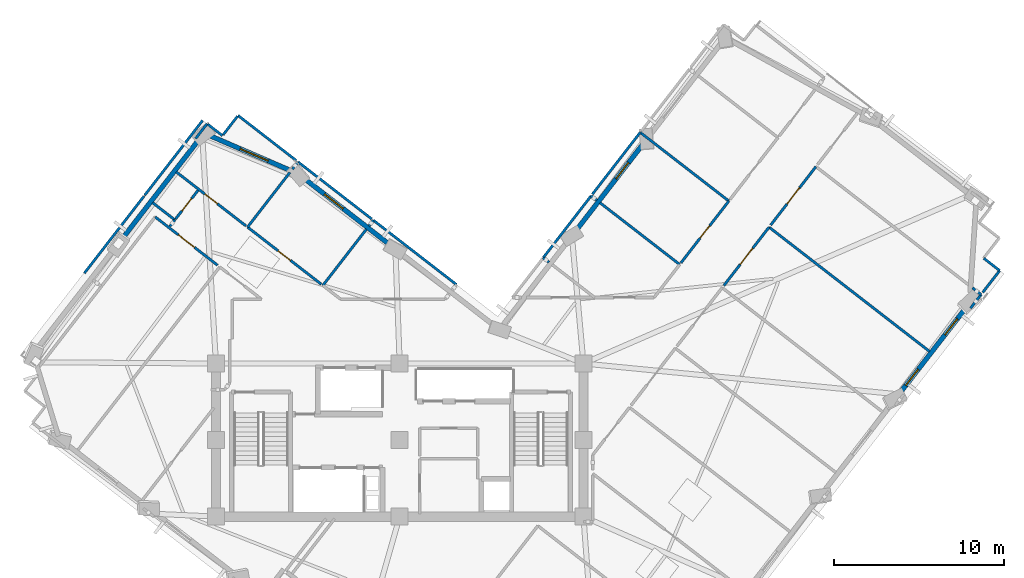
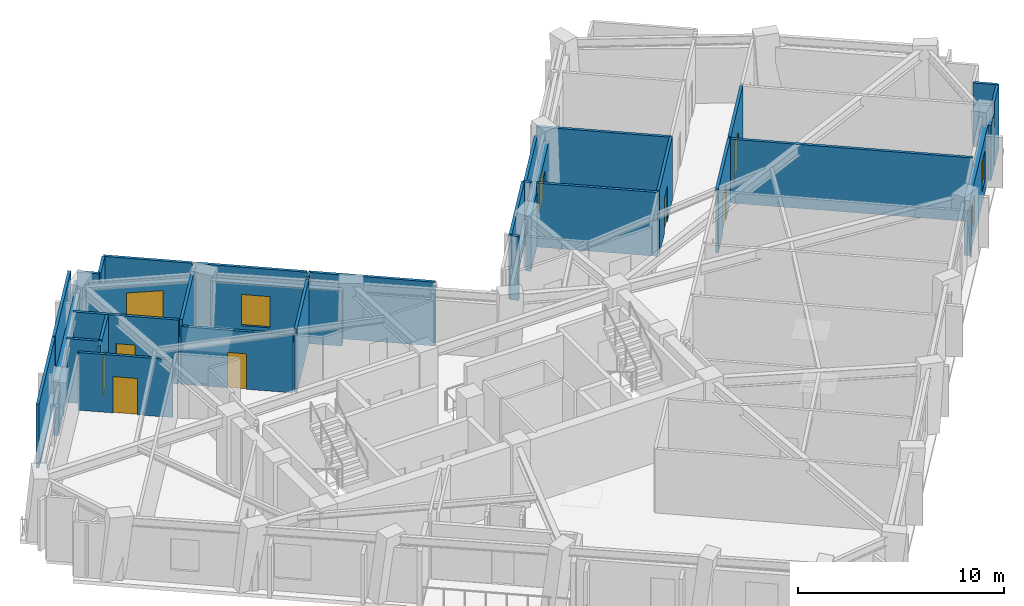
# One storey, part 6 of 12: 37 walls, 7 doors, 5 windows, 12 openings.
"""IFC4 building model written with IfcOpenShell, lengths in metres."""

from ifc_helpers import new_model, si_unit, direction, frame, frame_2d, origin, place, context, subcontext, project, spatial, rectangle, extrude, material, layer, layer_set, type_object, element, fill, save


model = new_model("IFC4")

# Units and contexts
model_context = context("Model", 3, precision=1e-05, world=origin(), true_north=direction((0.0, 1.0)))
body_context = subcontext(model_context, "Body", "Model", "MODEL_VIEW")
ifc_project = project(units=[si_unit("LENGTHUNIT", "METRE"), si_unit("AREAUNIT", "SQUARE_METRE"), si_unit("VOLUMEUNIT", "CUBIC_METRE"), si_unit("PLANEANGLEUNIT", "RADIAN"), si_unit("MASSUNIT", "GRAM", prefix="KILO")], contexts=[model_context])

# Site, building, storey
site_placement = place(None, origin())
site = spatial("IfcSite", under=ifc_project, at=site_placement, CompositionType="ELEMENT")
building_placement = place(site_placement, origin())
building = spatial("IfcBuilding", under=site, at=building_placement, Name="Gaonmaruhae Medical Tower", CompositionType="ELEMENT")
storey_placement = place(building_placement, frame((0.0, 0.0, 247.199951171875)))
storey = spatial("IfcBuildingStorey", under=building, at=storey_placement, Name="L59", CompositionType="ELEMENT", Elevation=247.199951171875)

# Wall, openings, windows
ifc_material_1 = material(Name="Precast concrete C45/55", Category="concrete")
ifc_layer_1 = layer(ifc_material_1, 0.280029296875)
ifc_layer_set_1 = layer_set([ifc_layer_1], Name="Precast concrete C45/55")
wall_type_1 = type_object("IfcWallType", Name="EW-280 Upper Precast Masonry-Frame Facade Wall", PredefinedType="SOLIDWALL", material=ifc_layer_set_1)
wall_1_placement = place(storey_placement, frame((58.171142578125, 20.190673828125, 0.0), z_axis=(0.0, 0.0, 1.0), x_axis=(-0.612216921809, -0.790689851112, 0.0)))
wall_1 = element("IfcWall", 1, at=wall_1_placement, inside=storey, type_object=wall_type_1, Name="L59 Precast Masonry-Frame Wall S05-S06", PredefinedType="SOLIDWALL", context=body_context, shape_type="SweptSolid", body=[
    extrude(rectangle(XDim=6.41845703125, YDim=0.280029296875, at=frame_2d((3.209228515625, 0.0))), origin(), (0.0, 0.0, 1.0), 3.26513671875),
])
opening_1_placement = place(wall_1_placement, frame((0.9599609375, 0.0, 0.75)))
opening_1 = element("IfcOpeningElement", 2, at=opening_1_placement, cuts=wall_1, Name="Opening WN-05", PredefinedType="OPENING", context=body_context, shape_type="SweptSolid", body=[
    extrude(rectangle(XDim=1.199951171875, YDim=1.75, at=frame_2d((0.60009765625, 0.875))), frame((0.0, 0.14990234375, 0.0), z_axis=(0.0, -1.0, 0.0), x_axis=(1.0, 0.0, 0.0)), (0.0, 0.0, 1.0), 0.300048828125),
])
opening_2_placement = place(wall_1_placement, frame((4.71533203125, 0.0, 0.75)))
opening_2 = element("IfcOpeningElement", 3, at=opening_2_placement, cuts=wall_1, Name="Opening WN-05", PredefinedType="OPENING", context=body_context, shape_type="SweptSolid", body=[
    extrude(rectangle(XDim=1.199951171875, YDim=1.75, at=frame_2d((0.60009765625, 0.875))), frame((0.0, 0.14990234375, 0.0), z_axis=(0.0, -1.0, 0.0), x_axis=(1.0, 0.0, 0.0)), (0.0, 0.0, 1.0), 0.300048828125),
])
ifc_material_2 = material(Name="Anodised aluminium and Low-E double glazing", Category="aluminium")
window_type_1 = type_object("IfcWindowType", Name="WN-05 Support & Staff Punched Window 1200x1750", PartitioningType="SINGLE_PANEL", PredefinedType="WINDOW", material=ifc_material_2)
window_1_placement = place(opening_1_placement, origin())
window_1 = element("IfcWindow", 4, at=window_1_placement, inside=storey, type_object=window_type_1, Name="L59 Modular Facade Window S05", OverallHeight=1.75, OverallWidth=1.199951171875, PartitioningType="SINGLE_PANEL", PredefinedType="WINDOW", context=body_context, shape_type="SweptSolid", body=[
    extrude(rectangle(XDim=1.199951171875, YDim=1.75, at=frame_2d((0.60009765625, 0.875))), frame((0.0, 0.030029296875, 0.0), z_axis=(0.0, -1.0, 0.0), x_axis=(1.0, 0.0, 0.0)), (0.0, 0.0, 1.0), 0.06005859375),
])
fill(opening_1, window_1)
window_2_placement = place(opening_2_placement, origin())
window_2 = element("IfcWindow", 5, at=window_2_placement, inside=storey, type_object=window_type_1, Name="L59 Modular Facade Window S05B", OverallHeight=1.75, OverallWidth=1.199951171875, PartitioningType="SINGLE_PANEL", PredefinedType="WINDOW", context=body_context, shape_type="SweptSolid", body=[
    extrude(rectangle(XDim=1.199951171875, YDim=1.75, at=frame_2d((0.60009765625, 0.875))), frame((0.0, 0.030029296875, 0.0), z_axis=(0.0, -1.0, 0.0), x_axis=(1.0, 0.0, 0.0)), (0.0, 0.0, 1.0), 0.06005859375),
])
fill(opening_2, window_2)

# Wall, opening, window
wall_2_placement = place(storey_placement, frame((35.16259765625, 24.61279296875, 0.0), z_axis=(0.0, 0.0, 1.0), x_axis=(0.612185484871, 0.790714191167, 0.0)))
wall_2 = element("IfcWall", 6, at=wall_2_placement, inside=storey, type_object=wall_type_1, Name="L59 Precast Masonry-Frame Wall EN01-EN02", PredefinedType="SOLIDWALL", context=body_context, shape_type="SweptSolid", body=[
    extrude(rectangle(XDim=6.409423828125, YDim=0.280029296875, at=frame_2d((3.20458984375, 0.0))), origin(), (0.0, 0.0, 1.0), 3.26513671875),
])
opening_3_placement = place(wall_2_placement, frame((3.8466796875, 0.0, 0.75)))
opening_3 = element("IfcOpeningElement", 7, at=opening_3_placement, cuts=wall_2, Name="Opening WN-05", PredefinedType="OPENING", context=body_context, shape_type="SweptSolid", body=[
    extrude(rectangle(XDim=1.199951171875, YDim=1.75, at=frame_2d((0.60009765625, 0.875))), frame((0.0, 0.14990234375, 0.0), z_axis=(0.0, -1.0, 0.0), x_axis=(1.0, 0.0, 0.0)), (0.0, 0.0, 1.0), 0.300048828125),
])
window_3_placement = place(opening_3_placement, origin())
window_3 = element("IfcWindow", 8, at=window_3_placement, inside=storey, type_object=window_type_1, Name="L59 Modular Facade Window EN01", OverallHeight=1.75, OverallWidth=1.199951171875, PartitioningType="SINGLE_PANEL", PredefinedType="WINDOW", context=body_context, shape_type="SweptSolid", body=[
    extrude(rectangle(XDim=1.199951171875, YDim=1.75, at=frame_2d((0.60009765625, 0.875))), frame((0.0, 0.030029296875, 0.0), z_axis=(0.0, -1.0, 0.0), x_axis=(1.0, 0.0, 0.0)), (0.0, 0.0, 1.0), 0.06005859375),
])
fill(opening_3, window_3)

wall_3_placement = place(storey_placement, frame((19.181884765625, 27.6796875, 0.0), z_axis=(0.0, 0.0, 1.0), x_axis=(0.790688693492, -0.612218416893, 0.0)))
wall_3 = element("IfcWall", 9, at=wall_3_placement, inside=storey, type_object=wall_type_1, Name="L59 Precast Masonry-Frame Wall NE01-NE02", PredefinedType="SOLIDWALL", context=body_context, shape_type="SweptSolid", body=[
    extrude(rectangle(XDim=6.424072265625, YDim=0.280029296875, at=frame_2d((3.2119140625, 0.0))), origin(), (0.0, 0.0, 1.0), 3.26513671875),
])
opening_4_placement = place(wall_3_placement, frame((1.501220703125, 0.0, 0.75)))
opening_4 = element("IfcOpeningElement", 10, at=opening_4_placement, cuts=wall_3, Name="Opening WN-03", PredefinedType="OPENING", context=body_context, shape_type="SweptSolid", body=[
    extrude(rectangle(XDim=1.39990234375, YDim=1.85009765625, at=frame_2d((0.699951171875, 0.925048828125))), frame((0.0, 0.14990234375, 0.0), z_axis=(0.0, -1.0, 0.0), x_axis=(1.0, 0.0, 0.0)), (0.0, 0.0, 1.0), 0.300048828125),
])
window_type_2 = type_object("IfcWindowType", Name="WN-03 Isolation Ward Punched Window 1400x1850", PartitioningType="SINGLE_PANEL", PredefinedType="WINDOW", material=ifc_material_2)
window_4_placement = place(opening_4_placement, origin())
window_4 = element("IfcWindow", 11, at=window_4_placement, inside=storey, type_object=window_type_2, Name="L59 Modular Facade Window NE01", OverallHeight=1.85009765625, OverallWidth=1.39990234375, PartitioningType="SINGLE_PANEL", PredefinedType="WINDOW", context=body_context, shape_type="SweptSolid", body=[
    extrude(rectangle(XDim=1.39990234375, YDim=1.85009765625, at=frame_2d((0.699951171875, 0.925048828125))), frame((0.0, 0.030029296875, 0.0), z_axis=(0.0, -1.0, 0.0), x_axis=(1.0, 0.0, 0.0)), (0.0, 0.0, 1.0), 0.06005859375),
])
fill(opening_4, window_4)

wall_4_placement = place(storey_placement, frame((13.6455078125, 30.190185546875, 0.0), z_axis=(0.0, 0.0, 1.0), x_axis=(0.917964446045, -0.396662672553, 0.0)))
wall_4 = element("IfcWall", 12, at=wall_4_placement, inside=storey, type_object=wall_type_1, Name="L59 Precast Masonry-Frame Wall NE02-N01", PredefinedType="SOLIDWALL", context=body_context, shape_type="SweptSolid", body=[
    extrude(rectangle(XDim=5.302490234375, YDim=0.280029296875, at=frame_2d((2.6513671875, 0.0))), origin(), (0.0, 0.0, 1.0), 3.26513671875),
])
opening_5_placement = place(wall_4_placement, frame((1.936767578125, 0.0, 0.75)))
opening_5 = element("IfcOpeningElement", 13, at=opening_5_placement, cuts=wall_4, Name="Opening WN-04", PredefinedType="OPENING", context=body_context, shape_type="SweptSolid", body=[
    extrude(rectangle(XDim=1.800048828125, YDim=2.050048828125, at=frame_2d((0.89990234375, 1.02490234375))), frame((0.0, 0.14990234375, 0.0), z_axis=(0.0, -1.0, 0.0), x_axis=(1.0, 0.0, 0.0)), (0.0, 0.0, 1.0), 0.300048828125),
])
window_type_3 = type_object("IfcWindowType", Name="WN-04 Clinic & Consult Punched Window 1800x2050", PartitioningType="SINGLE_PANEL", PredefinedType="WINDOW", material=ifc_material_2)
window_5_placement = place(opening_5_placement, origin())
window_5 = element("IfcWindow", 14, at=window_5_placement, inside=storey, type_object=window_type_3, Name="L59 Modular Facade Window NE02", OverallHeight=2.050048828125, OverallWidth=1.800048828125, PartitioningType="SINGLE_PANEL", PredefinedType="WINDOW", context=body_context, shape_type="SweptSolid", body=[
    extrude(rectangle(XDim=1.800048828125, YDim=2.050048828125, at=frame_2d((0.89990234375, 1.02490234375))), frame((0.0, 0.030029296875, 0.0), z_axis=(0.0, -1.0, 0.0), x_axis=(1.0, 0.0, 0.0)), (0.0, 0.0, 1.0), 0.06005859375),
])
fill(opening_5, window_5)

# Wall
wall_5_placement = place(storey_placement, frame((8.4033203125, 24.027587890625, 0.0), z_axis=(0.0, 0.0, 1.0), x_axis=(0.61220895988, 0.790696015826, 0.0)))
element("IfcWall", 15, at=wall_5_placement, inside=storey, type_object=wall_type_1, Name="L59 Precast Masonry-Frame Wall N01-N02", PredefinedType="SOLIDWALL", context=body_context, shape_type="SweptSolid", body=[
    extrude(rectangle(XDim=7.43408203125, YDim=0.280029296875, at=frame_2d((3.717041015625, 0.0))), origin(), (0.0, 0.0, 1.0), 3.26513671875),
])

# Wall, opening, door
ifc_material_3 = material(Name="Gypsum board partition", Category="gypsum")
ifc_layer_2 = layer(ifc_material_3, 0.14990234375)
ifc_layer_set_2 = layer_set([ifc_layer_2], Name="Gypsum board partition")
wall_type_2 = type_object("IfcWallType", Name="PW-150 Rated Clinical Corridor Partition", PredefinedType="PARTITIONING", material=ifc_layer_set_2)
wall_6_placement = place(storey_placement, frame((43.85400390625, 21.382080078125, 0.0), z_axis=(0.0, 0.0, 1.0), x_axis=(0.612178865646, 0.790719315849, 0.0)))
wall_6 = element("IfcWall", 16, at=wall_6_placement, inside=storey, type_object=wall_type_2, Name="L59 Interior Partition L59-SUP08-22", PredefinedType="PARTITIONING", context=body_context, shape_type="SweptSolid", body=[
    extrude(rectangle(XDim=4.340087890625, YDim=0.14990234375, at=frame_2d((2.169921875, 0.0))), origin(), (0.0, 0.0, 1.0), 3.780029296875),
])
opening_6_placement = place(wall_6_placement, frame((1.5703125, 0.0, 0.0)))
opening_6 = element("IfcOpeningElement", 17, at=opening_6_placement, cuts=wall_6, Name="Opening CD-02", PredefinedType="OPENING", context=body_context, shape_type="SweptSolid", body=[
    extrude(rectangle(XDim=1.199951171875, YDim=2.14990234375, at=frame_2d((0.60009765625, 1.074951171875))), frame((0.0, 0.0849609375, 0.0), z_axis=(0.0, -1.0, 0.0), x_axis=(1.0, 0.0, 0.0)), (0.0, 0.0, 1.0), 0.169921875),
])
ifc_material_4 = material(Name="Antimicrobial laminate timber fire door", Category="wood")
door_type_1 = type_object("IfcDoorType", Name="CD-02 Clinical Treatment & Procedure Door 1200x2150", OperationType="NOTDEFINED", PredefinedType="DOOR", material=ifc_material_4)
door_1_placement = place(opening_6_placement, origin())
door_1 = element("IfcDoor", 18, at=door_1_placement, inside=storey, type_object=door_type_1, Name="L59 Clinical Biomedical Charting Office Door", OperationType="SINGLE_SWING_LEFT", OverallHeight=2.14990234375, OverallWidth=1.199951171875, PredefinedType="DOOR", context=body_context, shape_type="SweptSolid", body=[
    extrude(rectangle(XDim=1.199951171875, YDim=2.14990234375, at=frame_2d((0.60009765625, 1.074951171875))), frame((0.0, 0.02490234375, 0.0), z_axis=(0.0, -1.0, 0.0), x_axis=(1.0, 0.0, 0.0)), (0.0, 0.0, 1.0), 0.050048828125),
])
fill(opening_6, door_1)

# Wall
wall_7_placement = place(storey_placement, frame((46.510986328125, 24.81396484375, 0.0), z_axis=(0.0, 0.0, 1.0), x_axis=(0.790690807158, -0.612215687055, 0.0)))
element("IfcWall", 19, at=wall_7_placement, inside=storey, type_object=wall_type_2, Name="L59 Interior Partition L59-SUP08-23", PredefinedType="PARTITIONING", context=body_context, shape_type="SweptSolid", body=[
    extrude(rectangle(XDim=11.93505859375, YDim=0.14990234375, at=frame_2d((5.967529296875, 0.0))), origin(), (0.0, 0.0, 1.0), 3.780029296875),
])

# Wall, opening, door
wall_8_placement = place(storey_placement, frame((46.60888671875, 24.93994140625, 0.0), z_axis=(0.0, 0.0, 1.0), x_axis=(0.612186806235, 0.790713168141, 0.0)))
wall_8 = element("IfcWall", 20, at=wall_8_placement, inside=storey, type_object=wall_type_2, Name="L59 Interior Partition L59-SUP09-25", PredefinedType="PARTITIONING", context=body_context, shape_type="SweptSolid", body=[
    extrude(rectangle(XDim=4.340576171875, YDim=0.14990234375, at=frame_2d((2.17041015625, 0.0))), origin(), (0.0, 0.0, 1.0), 3.780029296875),
])
opening_7_placement = place(wall_8_placement, frame((1.5703125, 0.0, 0.0)))
opening_7 = element("IfcOpeningElement", 21, at=opening_7_placement, cuts=wall_8, Name="Opening CD-02", PredefinedType="OPENING", context=body_context, shape_type="SweptSolid", body=[
    extrude(rectangle(XDim=1.199951171875, YDim=2.14990234375, at=frame_2d((0.60009765625, 1.074951171875))), frame((0.0, 0.0849609375, 0.0), z_axis=(0.0, -1.0, 0.0), x_axis=(1.0, 0.0, 0.0)), (0.0, 0.0, 1.0), 0.169921875),
])
door_2_placement = place(opening_7_placement, origin())
door_2 = element("IfcDoor", 22, at=door_2_placement, inside=storey, type_object=door_type_1, Name="L59 Clinical Biomedical Charting Office Door", OperationType="SINGLE_SWING_LEFT", OverallHeight=2.14990234375, OverallWidth=1.199951171875, PredefinedType="DOOR", context=body_context, shape_type="SweptSolid", body=[
    extrude(rectangle(XDim=1.199951171875, YDim=2.14990234375, at=frame_2d((0.60009765625, 1.074951171875))), frame((0.0, 0.02490234375, 0.0), z_axis=(0.0, -1.0, 0.0), x_axis=(1.0, 0.0, 0.0)), (0.0, 0.0, 1.0), 0.050048828125),
])
fill(opening_7, door_2)

# Walls
wall_9_placement = place(storey_placement, frame((58.468994140625, 21.24609375, 0.0), z_axis=(0.0, 0.0, 1.0), x_axis=(0.790521208436, -0.612434665098, 0.0)))
element("IfcWall", 23, at=wall_9_placement, inside=storey, type_object=wall_type_2, Name="L59 Interior Partition L59-SUP09-27", PredefinedType="PARTITIONING", context=body_context, shape_type="SweptSolid", body=[
    extrude(rectangle(XDim=0.64013671875, YDim=0.14990234375, at=frame_2d((0.320068359375, 0.0))), origin(), (0.0, 0.0, 1.0), 3.780029296875),
])
wall_10_placement = place(storey_placement, frame((58.97509765625, 20.85400390625, 0.0), z_axis=(0.0, 0.0, 1.0), x_axis=(-0.611960031157, -0.790888690188, 0.0)))
element("IfcWall", 24, at=wall_10_placement, inside=storey, type_object=wall_type_2, Name="L59 Interior Partition L59-SUP09-28", PredefinedType="PARTITIONING", context=body_context, shape_type="SweptSolid", body=[
    extrude(rectangle(XDim=1.0166015625, YDim=0.14990234375, at=frame_2d((0.50830078125, 0.0))), origin(), (0.0, 0.0, 1.0), 3.26513671875),
])
wall_11_placement = place(storey_placement, frame((59.135009765625, 22.988037109375, 0.0), z_axis=(0.0, 0.0, 1.0), x_axis=(0.790420058824, -0.61256520519, 0.0)))
element("IfcWall", 25, at=wall_11_placement, inside=storey, type_object=wall_type_2, Name="L59 Interior Partition L59-SUP10-30", PredefinedType="PARTITIONING", context=body_context, shape_type="SweptSolid", body=[
    extrude(rectangle(XDim=1.180419921875, YDim=0.14990234375, at=frame_2d((0.59033203125, 0.0))), origin(), (0.0, 0.0, 1.0), 3.780029296875),
])
wall_12_placement = place(storey_placement, frame((60.068115234375, 22.264892578125, 0.0), z_axis=(0.0, 0.0, 1.0), x_axis=(-0.612306498118, -0.790620485671, 0.0)))
element("IfcWall", 26, at=wall_12_placement, inside=storey, type_object=wall_type_2, Name="L59 Interior Partition L59-SUP10-31", PredefinedType="PARTITIONING", context=body_context, shape_type="SweptSolid", body=[
    extrude(rectangle(XDim=1.625244140625, YDim=0.14990234375, at=frame_2d((0.8125, 0.0))), origin(), (0.0, 0.0, 1.0), 3.780029296875),
])

# Wall, opening, door
wall_13_placement = place(storey_placement, frame((10.427001953125, 25.416015625, 0.0), z_axis=(0.0, 0.0, 1.0), x_axis=(0.790662088337, -0.612252776283, 0.0)))
wall_13 = element("IfcWall", 27, at=wall_13_placement, inside=storey, type_object=wall_type_2, Name="L59 Interior Partition L59-WOF16-57", PredefinedType="PARTITIONING", context=body_context, shape_type="SweptSolid", body=[
    extrude(rectangle(XDim=4.640380859375, YDim=0.14990234375, at=frame_2d((2.3203125, 0.0))), origin(), (0.0, 0.0, 1.0), 3.4150390625),
])
opening_8_placement = place(wall_13_placement, frame((1.72021484375, 0.0, 0.0)))
opening_8 = element("IfcOpeningElement", 28, at=opening_8_placement, cuts=wall_13, Name="Opening CD-02", PredefinedType="OPENING", context=body_context, shape_type="SweptSolid", body=[
    extrude(rectangle(XDim=1.199951171875, YDim=2.14990234375, at=frame_2d((0.60009765625, 1.074951171875))), frame((0.0, 0.0849609375, 0.0), z_axis=(0.0, -1.0, 0.0), x_axis=(1.0, 0.0, 0.0)), (0.0, 0.0, 1.0), 0.169921875),
])
door_3_placement = place(opening_8_placement, origin())
door_3 = element("IfcDoor", 29, at=door_3_placement, inside=storey, type_object=door_type_1, Name="L59 Ward Physician Reporting Office Door", OperationType="SINGLE_SWING_LEFT", OverallHeight=2.14990234375, OverallWidth=1.199951171875, PredefinedType="DOOR", context=body_context, shape_type="SweptSolid", body=[
    extrude(rectangle(XDim=1.199951171875, YDim=2.14990234375, at=frame_2d((0.60009765625, 1.074951171875))), frame((0.0, 0.02490234375, 0.0), z_axis=(0.0, -1.0, 0.0), x_axis=(1.0, 0.0, 0.0)), (0.0, 0.0, 1.0), 0.050048828125),
])
fill(opening_8, door_3)

# Walls
wall_14_placement = place(storey_placement, frame((33.23291015625, 23.01904296875, 0.0), z_axis=(0.0, 0.0, 1.0), x_axis=(0.612204246351, 0.790699665328, 0.0)))
element("IfcWall", 30, at=wall_14_placement, inside=storey, type_object=wall_type_2, Name="L59 Interior Partition L59-IE03-61", PredefinedType="PARTITIONING", context=body_context, shape_type="SweptSolid", body=[
    extrude(rectangle(XDim=4.598388671875, YDim=0.14990234375, at=frame_2d((2.29931640625, 0.0))), origin(), (0.0, 0.0, 1.0), 3.780029296875),
])
wall_15_placement = place(storey_placement, frame((36.048095703125, 26.655029296875, 0.0), z_axis=(0.0, 0.0, 1.0), x_axis=(0.790951555594, -0.611878776151, 0.0)))
element("IfcWall", 31, at=wall_15_placement, inside=storey, type_object=wall_type_2, Name="L59 Interior Partition L59-IE03-62", PredefinedType="PARTITIONING", context=body_context, shape_type="SweptSolid", body=[
    extrude(rectangle(XDim=0.434814453125, YDim=0.14990234375, at=frame_2d((0.21728515625, 0.0))), origin(), (0.0, 0.0, 1.0), 3.780029296875),
])
wall_16_placement = place(storey_placement, frame((36.573974609375, 26.248046875, 0.0), z_axis=(0.0, 0.0, 1.0), x_axis=(0.790597576491, -0.612336077695, 0.0)))
element("IfcWall", 32, at=wall_16_placement, inside=storey, type_object=wall_type_2, Name="L59 Interior Partition L59-IE03-63", PredefinedType="PARTITIONING", context=body_context, shape_type="SweptSolid", body=[
    extrude(rectangle(XDim=5.9248046875, YDim=0.14990234375, at=frame_2d((2.96240234375, 0.0))), origin(), (0.0, 0.0, 1.0), 3.780029296875),
])
wall_17_placement = place(storey_placement, frame((33.576904296875, 22.7529296875, 0.0), z_axis=(0.0, 0.0, 1.0), x_axis=(-0.790951555594, 0.611878776151, 0.0)))
element("IfcWall", 33, at=wall_17_placement, inside=storey, type_object=wall_type_2, Name="L59 Interior Partition L59-IE03-67", PredefinedType="PARTITIONING", context=body_context, shape_type="SweptSolid", body=[
    extrude(rectangle(XDim=0.434814453125, YDim=0.14990234375, at=frame_2d((0.21728515625, 0.0))), origin(), (0.0, 0.0, 1.0), 3.780029296875),
])

# Wall, opening, door
wall_18_placement = place(storey_placement, frame((44.14697265625, 26.35009765625, 0.0), z_axis=(0.0, 0.0, 1.0), x_axis=(-0.612273865453, -0.790645757393, 0.0)))
wall_18 = element("IfcWall", 34, at=wall_18_placement, inside=storey, type_object=wall_type_2, Name="L59 Interior Partition L59-IE04-68", PredefinedType="PARTITIONING", context=body_context, shape_type="SweptSolid", body=[
    extrude(rectangle(XDim=4.597412109375, YDim=0.14990234375, at=frame_2d((2.298828125, 0.0))), origin(), (0.0, 0.0, 1.0), 3.780029296875),
])
opening_9_placement = place(wall_18_placement, frame((1.8388671875, 0.0, 0.0)))
opening_9 = element("IfcOpeningElement", 35, at=opening_9_placement, cuts=wall_18, Name="Opening UD-01", PredefinedType="OPENING", context=body_context, shape_type="SweptSolid", body=[
    extrude(rectangle(XDim=0.919921875, YDim=2.10009765625, at=frame_2d((0.4599609375, 1.050048828125))), frame((0.0, 0.0849609375, 0.0), z_axis=(0.0, -1.0, 0.0), x_axis=(1.0, 0.0, 0.0)), (0.0, 0.0, 1.0), 0.169921875),
])
ifc_material_5 = material(Name="Powder-coated steel utility door", Category="steel")
door_type_2 = type_object("IfcDoorType", Name="UD-01 Toilet, Utility & Housekeeping Door 920x2100", OperationType="NOTDEFINED", PredefinedType="DOOR", material=ifc_material_5)
door_4_placement = place(opening_9_placement, origin())
door_4 = element("IfcDoor", 36, at=door_4_placement, inside=storey, type_object=door_type_2, Name="L59 Accessible Public Toilet Door", OperationType="SINGLE_SWING_LEFT", OverallHeight=2.10009765625, OverallWidth=0.919921875, PredefinedType="DOOR", context=body_context, shape_type="SweptSolid", body=[
    extrude(rectangle(XDim=0.919921875, YDim=2.10009765625, at=frame_2d((0.4599609375, 1.050048828125))), frame((0.0, 0.02490234375, 0.0), z_axis=(0.0, -1.0, 0.0), x_axis=(1.0, 0.0, 0.0)), (0.0, 0.0, 1.0), 0.050048828125),
])
fill(opening_9, door_4)

# Walls
wall_19_placement = place(storey_placement, frame((36.12109375, 26.75, 0.0), z_axis=(0.0, 0.0, 1.0), x_axis=(0.612273865453, 0.790645757393, 0.0)))
element("IfcWall", 37, at=wall_19_placement, inside=storey, type_object=wall_type_2, Name="L59 Interior Partition L59-IE04-69", PredefinedType="PARTITIONING", context=body_context, shape_type="SweptSolid", body=[
    extrude(rectangle(XDim=4.597412109375, YDim=0.14990234375, at=frame_2d((2.298828125, 0.0))), origin(), (0.0, 0.0, 1.0), 3.26513671875),
])
wall_20_placement = place(storey_placement, frame((38.93603515625, 30.385009765625, 0.0), z_axis=(0.0, 0.0, 1.0), x_axis=(0.790676851413, -0.6122337108, 0.0)))
element("IfcWall", 38, at=wall_20_placement, inside=storey, type_object=wall_type_2, Name="L59 Interior Partition L59-IE04-70", PredefinedType="PARTITIONING", context=body_context, shape_type="SweptSolid", body=[
    extrude(rectangle(XDim=6.590576171875, YDim=0.14990234375, at=frame_2d((3.29541015625, 0.0))), origin(), (0.0, 0.0, 1.0), 3.780029296875),
])
wall_21_placement = place(storey_placement, frame((20.283935546875, 21.387939453125, 0.0), z_axis=(0.0, 0.0, 1.0), x_axis=(0.612194371926, 0.790707310566, 0.0)))
element("IfcWall", 39, at=wall_21_placement, inside=storey, type_object=wall_type_2, Name="L59 Interior Partition L59-IN01-83", PredefinedType="PARTITIONING", context=body_context, shape_type="SweptSolid", body=[
    extrude(rectangle(XDim=4.18505859375, YDim=0.14990234375, at=frame_2d((2.092529296875, 0.0))), origin(), (0.0, 0.0, 1.0), 3.780029296875),
])
wall_22_placement = place(storey_placement, frame((22.987060546875, 24.87890625, 0.0), z_axis=(0.0, 0.0, 1.0), x_axis=(0.611527407978, 0.791223248706, 0.0)))
element("IfcWall", 40, at=wall_22_placement, inside=storey, type_object=wall_type_2, Name="L59 Interior Partition L59-IN01-84", PredefinedType="PARTITIONING", context=body_context, shape_type="SweptSolid", body=[
    extrude(rectangle(XDim=0.434814453125, YDim=0.14990234375, at=frame_2d((0.21728515625, 0.0))), origin(), (0.0, 0.0, 1.0), 3.780029296875),
])
wall_23_placement = place(storey_placement, frame((23.2529296875, 25.222900390625, 0.0), z_axis=(0.0, 0.0, 1.0), x_axis=(0.790686081484, -0.612221790324, 0.0)))
element("IfcWall", 41, at=wall_23_placement, inside=storey, type_object=wall_type_2, Name="L59 Interior Partition L59-IN01-85", PredefinedType="PARTITIONING", context=body_context, shape_type="SweptSolid", body=[
    extrude(rectangle(XDim=6.1806640625, YDim=0.14990234375, at=frame_2d((3.09033203125, 0.0))), origin(), (0.0, 0.0, 1.0), 3.780029296875),
])

# Wall, opening, door
wall_24_placement = place(storey_placement, frame((20.18896484375, 21.4619140625, 0.0), z_axis=(0.0, 0.0, 1.0), x_axis=(-0.790688923612, 0.612218119691, 0.0)))
wall_24 = element("IfcWall", 42, at=wall_24_placement, inside=storey, type_object=wall_type_2, Name="L59 Interior Partition L59-IN02-88", PredefinedType="PARTITIONING", context=body_context, shape_type="SweptSolid", body=[
    extrude(rectangle(XDim=5.47998046875, YDim=0.14990234375, at=frame_2d((2.739990234375, 0.0))), origin(), (0.0, 0.0, 1.0), 3.4150390625),
])
opening_10_placement = place(wall_24_placement, frame((2.280029296875, 0.0, 0.0)))
opening_10 = element("IfcOpeningElement", 43, at=opening_10_placement, cuts=wall_24, Name="Opening UD-01", PredefinedType="OPENING", context=body_context, shape_type="SweptSolid", body=[
    extrude(rectangle(XDim=0.919921875, YDim=2.10009765625, at=frame_2d((0.4599609375, 1.050048828125))), frame((0.0, 0.0849609375, 0.0), z_axis=(0.0, -1.0, 0.0), x_axis=(1.0, 0.0, 0.0)), (0.0, 0.0, 1.0), 0.169921875),
])
door_5_placement = place(opening_10_placement, origin())
door_5 = element("IfcDoor", 44, at=door_5_placement, inside=storey, type_object=door_type_2, Name="L59 Ward Nutrition Pantry Door", OperationType="SINGLE_SWING_LEFT", OverallHeight=2.10009765625, OverallWidth=0.919921875, PredefinedType="DOOR", context=body_context, shape_type="SweptSolid", body=[
    extrude(rectangle(XDim=0.919921875, YDim=2.10009765625, at=frame_2d((0.4599609375, 1.050048828125))), frame((0.0, 0.02490234375, 0.0), z_axis=(0.0, -1.0, 0.0), x_axis=(1.0, 0.0, 0.0)), (0.0, 0.0, 1.0), 0.050048828125),
])
fill(opening_10, door_5)

# Walls
wall_25_placement = place(storey_placement, frame((15.85595703125, 24.81689453125, 0.0), z_axis=(0.0, 0.0, 1.0), x_axis=(0.612343855501, 0.790591552339, 0.0)))
element("IfcWall", 45, at=wall_25_placement, inside=storey, type_object=wall_type_2, Name="L59 Interior Partition L59-IN02-89", PredefinedType="PARTITIONING", context=body_context, shape_type="SweptSolid", body=[
    extrude(rectangle(XDim=4.06787109375, YDim=0.14990234375, at=frame_2d((2.033935546875, 0.0))), origin(), (0.0, 0.0, 1.0), 3.780029296875),
])
wall_26_placement = place(storey_placement, frame((18.491943359375, 28.220947265625, 0.0), z_axis=(0.0, 0.0, 1.0), x_axis=(0.61235427183, 0.790583484378, 0.0)))
element("IfcWall", 46, at=wall_26_placement, inside=storey, type_object=wall_type_2, Name="L59 Interior Partition L59-IN02-90", PredefinedType="PARTITIONING", context=body_context, shape_type="SweptSolid", body=[
    extrude(rectangle(XDim=0.543701171875, YDim=0.14990234375, at=frame_2d((0.27197265625, 0.0))), origin(), (0.0, 0.0, 1.0), 3.780029296875),
])
wall_27_placement = place(storey_placement, frame((18.824951171875, 28.65087890625, 0.0), z_axis=(0.0, 0.0, 1.0), x_axis=(0.790688923612, -0.612218119691, 0.0)))
element("IfcWall", 47, at=wall_27_placement, inside=storey, type_object=wall_type_2, Name="L59 Interior Partition L59-IN02-91", PredefinedType="PARTITIONING", context=body_context, shape_type="SweptSolid", body=[
    extrude(rectangle(XDim=5.47998046875, YDim=0.14990234375, at=frame_2d((2.739990234375, 0.0))), origin(), (0.0, 0.0, 1.0), 3.780029296875),
])
wall_28_placement = place(storey_placement, frame((15.299072265625, 31.382080078125, 0.0), z_axis=(0.0, 0.0, 1.0), x_axis=(0.790719315849, -0.612178865646, 0.0)))
element("IfcWall", 48, at=wall_28_placement, inside=storey, type_object=wall_type_2, Name="L59 Interior Partition L59-IN03-92", PredefinedType="PARTITIONING", context=body_context, shape_type="SweptSolid", body=[
    extrude(rectangle(XDim=4.340087890625, YDim=0.14990234375, at=frame_2d((2.169921875, 0.0))), origin(), (0.0, 0.0, 1.0), 3.780029296875),
])

# Wall, opening, door
wall_29_placement = place(storey_placement, frame((15.760986328125, 24.889892578125, 0.0), z_axis=(0.0, 0.0, 1.0), x_axis=(-0.790706764685, 0.612195076983, 0.0)))
wall_29 = element("IfcWall", 49, at=wall_29_placement, inside=storey, type_object=wall_type_2, Name="L59 Interior Partition L59-IN03-93", PredefinedType="PARTITIONING", context=body_context, shape_type="SweptSolid", body=[
    extrude(rectangle(XDim=5.175048828125, YDim=0.14990234375, at=frame_2d((2.58740234375, 0.0))), origin(), (0.0, 0.0, 1.0), 3.780029296875),
])
opening_11_placement = place(wall_29_placement, frame((2.12744140625, 0.0, 0.0)))
opening_11 = element("IfcOpeningElement", 50, at=opening_11_placement, cuts=wall_29, Name="Opening UD-01", PredefinedType="OPENING", context=body_context, shape_type="SweptSolid", body=[
    extrude(rectangle(XDim=0.919921875, YDim=2.10009765625, at=frame_2d((0.4599609375, 1.050048828125))), frame((0.0, 0.0849609375, 0.0), z_axis=(0.0, -1.0, 0.0), x_axis=(1.0, 0.0, 0.0)), (0.0, 0.0, 1.0), 0.169921875),
])
door_6_placement = place(opening_11_placement, origin())
door_6 = element("IfcDoor", 51, at=door_6_placement, inside=storey, type_object=door_type_2, Name="L59 Public Visitor Toilet Door", OperationType="SINGLE_SWING_LEFT", OverallHeight=2.10009765625, OverallWidth=0.919921875, PredefinedType="DOOR", context=body_context, shape_type="SweptSolid", body=[
    extrude(rectangle(XDim=0.919921875, YDim=2.10009765625, at=frame_2d((0.4599609375, 1.050048828125))), frame((0.0, 0.02490234375, 0.0), z_axis=(0.0, -1.0, 0.0), x_axis=(1.0, 0.0, 0.0)), (0.0, 0.0, 1.0), 0.050048828125),
])
fill(opening_11, door_6)

# Walls
wall_30_placement = place(storey_placement, frame((12.803955078125, 30.02197265625, 0.0), z_axis=(0.0, 0.0, 1.0), x_axis=(0.61211514576, 0.790768643998, 0.0)))
element("IfcWall", 52, at=wall_30_placement, inside=storey, type_object=wall_type_2, Name="L59 Interior Partition L59-IN03-94", PredefinedType="PARTITIONING", context=body_context, shape_type="SweptSolid", body=[
    extrude(rectangle(XDim=1.102783203125, YDim=0.14990234375, at=frame_2d((0.55126953125, 0.0))), origin(), (0.0, 0.0, 1.0), 3.26513671875),
])
wall_31_placement = place(storey_placement, frame((13.51904296875, 30.863037109375, 0.0), z_axis=(0.0, 0.0, 1.0), x_axis=(0.790905545462, -0.611938247013, 0.0)))
element("IfcWall", 53, at=wall_31_placement, inside=storey, type_object=wall_type_2, Name="L59 Interior Partition L59-IN03-95", PredefinedType="PARTITIONING", context=body_context, shape_type="SweptSolid", body=[
    extrude(rectangle(XDim=1.090087890625, YDim=0.14990234375, at=frame_2d((0.544921875, 0.0))), origin(), (0.0, 0.0, 1.0), 3.780029296875),
])
wall_32_placement = place(storey_placement, frame((14.412109375, 30.236083984375, 0.0), z_axis=(0.0, 0.0, 1.0), x_axis=(0.612053472181, 0.790816380199, 0.0)))
element("IfcWall", 54, at=wall_32_placement, inside=storey, type_object=wall_type_2, Name="L59 Interior Partition L59-IN03-96", PredefinedType="PARTITIONING", context=body_context, shape_type="SweptSolid", body=[
    extrude(rectangle(XDim=1.3984375, YDim=0.14990234375, at=frame_2d((0.69921875, 0.0))), origin(), (0.0, 0.0, 1.0), 3.780029296875),
])
wall_33_placement = place(storey_placement, frame((6.257080078125, 22.10595703125, 0.0), z_axis=(0.0, 0.0, 1.0), x_axis=(0.612340459049, 0.790594183011, 0.0)))
element("IfcWall", 55, at=wall_33_placement, inside=storey, type_object=wall_type_2, Name="L59 Interior Partition L59-RM02-98", PredefinedType="PARTITIONING", context=body_context, shape_type="SweptSolid", body=[
    extrude(rectangle(XDim=5.739990234375, YDim=0.14990234375, at=frame_2d((2.8701171875, 0.0))), origin(), (0.0, 0.0, 1.0), 3.780029296875),
])
wall_34_placement = place(storey_placement, frame((10.27392578125, 26.2548828125, 0.0), z_axis=(0.0, 0.0, 1.0), x_axis=(0.790661489403, -0.612253549745, 0.0)))
element("IfcWall", 56, at=wall_34_placement, inside=storey, type_object=wall_type_2, Name="L59 Interior Partition L59-RM02-99", PredefinedType="PARTITIONING", context=body_context, shape_type="SweptSolid", body=[
    extrude(rectangle(XDim=1.654541015625, YDim=0.14990234375, at=frame_2d((0.8271484375, 0.0))), origin(), (0.0, 0.0, 1.0), 3.780029296875),
])
wall_35_placement = place(storey_placement, frame((11.58203125, 25.241943359375, 0.0), z_axis=(0.0, 0.0, 1.0), x_axis=(-0.612090334944, -0.790787848837, 0.0)))
element("IfcWall", 57, at=wall_35_placement, inside=storey, type_object=wall_type_2, Name="L59 Interior Partition L59-RM02-100", PredefinedType="PARTITIONING", context=body_context, shape_type="SweptSolid", body=[
    extrude(rectangle(XDim=0.475341796875, YDim=0.14990234375, at=frame_2d((0.23779296875, 0.0))), origin(), (0.0, 0.0, 1.0), 3.780029296875),
])

# Wall, opening, door
wall_36_placement = place(storey_placement, frame((12.946044921875, 26.97705078125, 0.0), z_axis=(0.0, 0.0, 1.0), x_axis=(-0.618293625279, -0.785947194753, 0.0)))
wall_36 = element("IfcWall", 58, at=wall_36_placement, inside=storey, type_object=wall_type_2, Name="L59 Interior Partition L59-RM03-101", PredefinedType="PARTITIONING", context=body_context, shape_type="SweptSolid", body=[
    extrude(rectangle(XDim=2.146484375, YDim=0.14990234375, at=frame_2d((1.0732421875, 0.0))), origin(), (0.0, 0.0, 1.0), 3.780029296875),
])
opening_12_placement = place(wall_36_placement, frame((0.61328125, 0.0, 0.0)))
opening_12 = element("IfcOpeningElement", 59, at=opening_12_placement, cuts=wall_36, Name="Opening UD-01", PredefinedType="OPENING", context=body_context, shape_type="SweptSolid", body=[
    extrude(rectangle(XDim=0.919921875, YDim=2.10009765625, at=frame_2d((0.4599609375, 1.050048828125))), frame((0.0, 0.0849609375, 0.0), z_axis=(0.0, -1.0, 0.0), x_axis=(1.0, 0.0, 0.0)), (0.0, 0.0, 1.0), 0.169921875),
])
door_7_placement = place(opening_12_placement, origin())
door_7 = element("IfcDoor", 60, at=door_7_placement, inside=storey, type_object=door_type_2, Name="L59 Biomedical Mobile Equipment Bay Door", OperationType="SINGLE_SWING_RIGHT", OverallHeight=2.10009765625, OverallWidth=0.919921875, PredefinedType="DOOR", context=body_context, shape_type="SweptSolid", body=[
    extrude(rectangle(XDim=0.919921875, YDim=2.10009765625, at=frame_2d((0.4599609375, 1.050048828125))), frame((0.0, 0.02490234375, 0.0), z_axis=(0.0, -1.0, 0.0), x_axis=(1.0, 0.0, 0.0)), (0.0, 0.0, 1.0), 0.050048828125),
])
fill(opening_12, door_7)

# Wall
wall_37_placement = place(storey_placement, frame((9.80810546875, 26.69189453125, 0.0), z_axis=(0.0, 0.0, 1.0), x_axis=(0.612209439056, 0.790695644816, 0.0)))
element("IfcWall", 61, at=wall_37_placement, inside=storey, type_object=wall_type_2, Name="L59 Interior Partition L59-RM03-102", PredefinedType="PARTITIONING", context=body_context, shape_type="SweptSolid", body=[
    extrude(rectangle(XDim=5.56982421875, YDim=0.14990234375, at=frame_2d((2.784912109375, 0.0))), origin(), (0.0, 0.0, 1.0), 3.780029296875),
])

save(model, "model.ifc")
